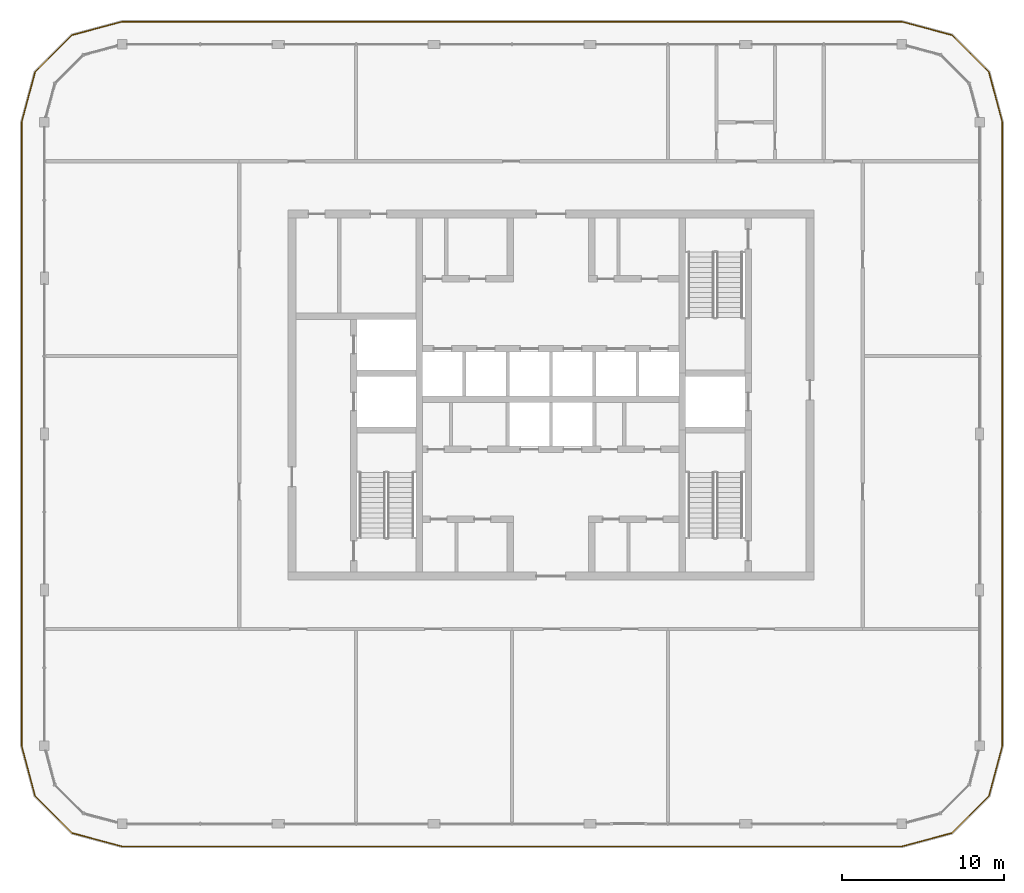
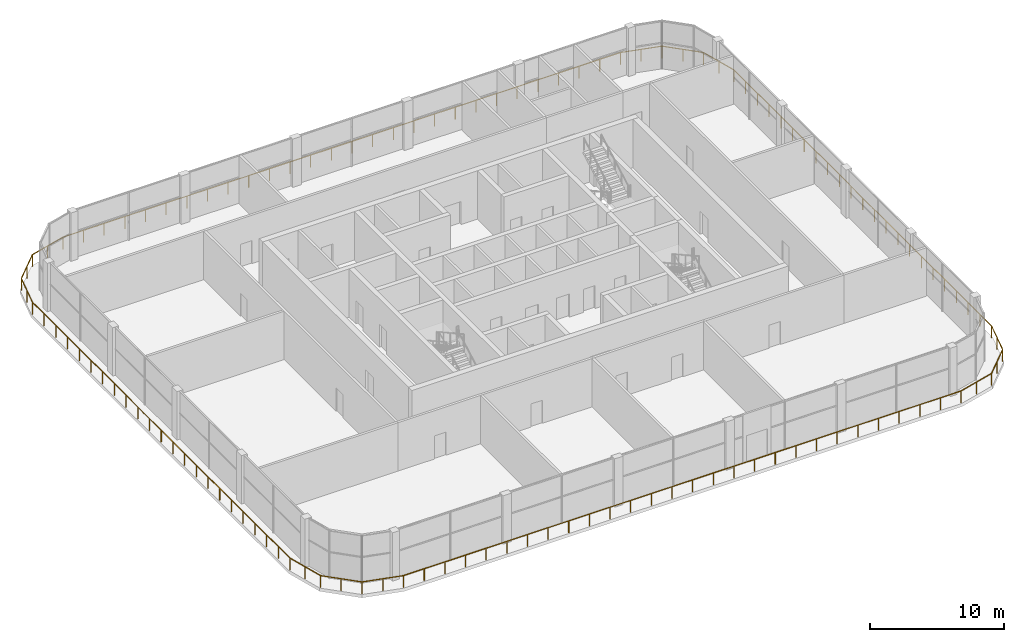
# One storey, part 14 of 15: 2 railings.
"""IFC4 building model written with IfcOpenShell, lengths in metres."""

from ifc_helpers import new_model, si_unit, direction, frame, origin, origin_2d, place, context, subcontext, project, spatial, circle, extrude, material, type_object, element, save


model = new_model("IFC4")

# Units and contexts
model_context = context("Model", 3, precision=1e-05, world=origin(), true_north=direction((0.0, 1.0)))
body_context = subcontext(model_context, "Body", "Model", "MODEL_VIEW")
ifc_project = project(units=[si_unit("LENGTHUNIT", "METRE"), si_unit("AREAUNIT", "SQUARE_METRE"), si_unit("VOLUMEUNIT", "CUBIC_METRE"), si_unit("PLANEANGLEUNIT", "RADIAN"), si_unit("MASSUNIT", "GRAM", prefix="KILO")], contexts=[model_context])

# Site, building, storey
site_placement = place(None, origin())
site = spatial("IfcSite", under=ifc_project, at=site_placement, CompositionType="ELEMENT")
building_placement = place(site_placement, origin())
building = spatial("IfcBuilding", under=site, at=building_placement, Name="Madar Terraces", CompositionType="ELEMENT")
storey_placement = place(building_placement, frame((0.0, 0.0, 291.5)))
storey = spatial("IfcBuildingStorey", under=building, at=storey_placement, Name="L76", CompositionType="ELEMENT", Elevation=291.5)

# Railings
ifc_material = material(Name="Glass, safety glazing, with stainless steel posts", Category="steel")
railing_type = type_object("IfcRailingType", Name="Balcony glass guard 1100", PredefinedType="GUARDRAIL", material=ifc_material)
railing_1_placement = place(storey_placement, frame((52.800048828125, -1.39990234375, 0.0)))
element("IfcRailing", 1, at=railing_1_placement, inside=storey, type_object=railing_type, Name="Balcony guard", PredefinedType="GUARDRAIL", context=body_context, shape_type="SweptSolid", body=[
    extrude(circle(Radius=0.02392578125, at=origin_2d()), frame((0.0, 0.0, 1.076171875), z_axis=(0.965928696102, 0.258808334578, 0.0), x_axis=(-0.258808334578, 0.965928696102, 0.0)), (0.0, 0.0, 1.0), 3.209228515625),
    extrude(circle(Radius=0.02392578125, at=origin_2d()), frame((3.099853515625, 0.83056640625, 1.076171875), z_axis=(0.707144815061, 0.707068745266, 0.0), x_axis=(-0.707068745266, 0.707144815061, 0.0)), (0.0, 0.0, 1.0), 3.20947265625),
    extrude(circle(Radius=0.02392578125, at=origin_2d()), frame((5.369384765625, 3.099853515625, 1.076171875), z_axis=(0.258789317819, 0.9659337912, 0.0), x_axis=(-0.9659337912, 0.258789317819, 0.0)), (0.0, 0.0, 1.0), 3.20947265625),
    extrude(circle(Radius=0.02392578125, at=origin_2d()), frame((6.199951171875, 6.199951171875, 1.076171875), z_axis=(0.0, 1.0, 0.0), x_axis=(-1.0, 0.0, 0.0)), (0.0, 0.0, 1.0), 38.39990234375),
    extrude(circle(Radius=0.02392578125, at=origin_2d()), frame((6.199951171875, 44.599853515625, 1.076171875), z_axis=(-0.258789317819, 0.9659337912, 0.0), x_axis=(-0.9659337912, -0.258789317819, 0.0)), (0.0, 0.0, 1.0), 3.20947265625),
    extrude(circle(Radius=0.02392578125, at=origin_2d()), frame((5.369384765625, 47.699951171875, 1.076171875), z_axis=(-0.707144815061, 0.707068745266, 0.0), x_axis=(-0.707068745266, -0.707144815061, 0.0)), (0.0, 0.0, 1.0), 3.20947265625),
    extrude(circle(Radius=0.02392578125, at=origin_2d()), frame((3.099853515625, 49.96923828125, 1.076171875), z_axis=(-0.965928696102, 0.258808334578, 0.0), x_axis=(-0.258808334578, -0.965928696102, 0.0)), (0.0, 0.0, 1.0), 3.209228515625),
    extrude(circle(Radius=0.02392578125, at=origin_2d()), frame((0.0, 50.7998046875, 1.076171875), z_axis=(-1.0, 0.0, 0.0), x_axis=(0.0, -1.0, 0.0)), (0.0, 0.0, 1.0), 48.0),
    extrude(circle(Radius=0.02099609375, at=origin_2d()), origin(), (0.0, 0.0, 1.0), 1.052001953125),
    extrude(circle(Radius=0.02099609375, at=origin_2d()), frame((1.5498046875, 0.415283203125, 0.0)), (0.0, 0.0, 1.0), 1.052001953125),
    extrude(circle(Radius=0.02099609375, at=origin_2d()), frame((3.099853515625, 0.83056640625, 0.0)), (0.0, 0.0, 1.0), 1.052001953125),
    extrude(circle(Radius=0.02099609375, at=origin_2d()), frame((4.234619140625, 1.96533203125, 0.0)), (0.0, 0.0, 1.0), 1.052001953125),
    extrude(circle(Radius=0.02099609375, at=origin_2d()), frame((5.369384765625, 3.099853515625, 0.0)), (0.0, 0.0, 1.0), 1.052001953125),
    extrude(circle(Radius=0.02099609375, at=origin_2d()), frame((5.78466796875, 4.64990234375, 0.0)), (0.0, 0.0, 1.0), 1.052001953125),
    extrude(circle(Radius=0.02099609375, at=origin_2d()), frame((6.199951171875, 6.199951171875, 0.0)), (0.0, 0.0, 1.0), 1.052001953125),
    extrude(circle(Radius=0.02099609375, at=origin_2d()), frame((6.199951171875, 7.9453125, 0.0)), (0.0, 0.0, 1.0), 1.052001953125),
    extrude(circle(Radius=0.02099609375, at=origin_2d()), frame((6.199951171875, 9.69091796875, 0.0)), (0.0, 0.0, 1.0), 1.052001953125),
    extrude(circle(Radius=0.02099609375, at=origin_2d()), frame((6.199951171875, 11.436279296875, 0.0)), (0.0, 0.0, 1.0), 1.052001953125),
    extrude(circle(Radius=0.02099609375, at=origin_2d()), frame((6.199951171875, 13.181640625, 0.0)), (0.0, 0.0, 1.0), 1.052001953125),
    extrude(circle(Radius=0.02099609375, at=origin_2d()), frame((6.199951171875, 14.92724609375, 0.0)), (0.0, 0.0, 1.0), 1.052001953125),
    extrude(circle(Radius=0.02099609375, at=origin_2d()), frame((6.199951171875, 16.672607421875, 0.0)), (0.0, 0.0, 1.0), 1.052001953125),
    extrude(circle(Radius=0.02099609375, at=origin_2d()), frame((6.199951171875, 18.418212890625, 0.0)), (0.0, 0.0, 1.0), 1.052001953125),
    extrude(circle(Radius=0.02099609375, at=origin_2d()), frame((6.199951171875, 20.16357421875, 0.0)), (0.0, 0.0, 1.0), 1.052001953125),
    extrude(circle(Radius=0.02099609375, at=origin_2d()), frame((6.199951171875, 21.908935546875, 0.0)), (0.0, 0.0, 1.0), 1.052001953125),
    extrude(circle(Radius=0.02099609375, at=origin_2d()), frame((6.199951171875, 23.654541015625, 0.0)), (0.0, 0.0, 1.0), 1.052001953125),
    extrude(circle(Radius=0.02099609375, at=origin_2d()), frame((6.199951171875, 25.39990234375, 0.0)), (0.0, 0.0, 1.0), 1.052001953125),
    extrude(circle(Radius=0.02099609375, at=origin_2d()), frame((6.199951171875, 27.145263671875, 0.0)), (0.0, 0.0, 1.0), 1.052001953125),
    extrude(circle(Radius=0.02099609375, at=origin_2d()), frame((6.199951171875, 28.890869140625, 0.0)), (0.0, 0.0, 1.0), 1.052001953125),
    extrude(circle(Radius=0.02099609375, at=origin_2d()), frame((6.199951171875, 30.63623046875, 0.0)), (0.0, 0.0, 1.0), 1.052001953125),
    extrude(circle(Radius=0.02099609375, at=origin_2d()), frame((6.199951171875, 32.381591796875, 0.0)), (0.0, 0.0, 1.0), 1.052001953125),
    extrude(circle(Radius=0.02099609375, at=origin_2d()), frame((6.199951171875, 34.127197265625, 0.0)), (0.0, 0.0, 1.0), 1.052001953125),
    extrude(circle(Radius=0.02099609375, at=origin_2d()), frame((6.199951171875, 35.87255859375, 0.0)), (0.0, 0.0, 1.0), 1.052001953125),
    extrude(circle(Radius=0.02099609375, at=origin_2d()), frame((6.199951171875, 37.6181640625, 0.0)), (0.0, 0.0, 1.0), 1.052001953125),
    extrude(circle(Radius=0.02099609375, at=origin_2d()), frame((6.199951171875, 39.363525390625, 0.0)), (0.0, 0.0, 1.0), 1.052001953125),
    extrude(circle(Radius=0.02099609375, at=origin_2d()), frame((6.199951171875, 41.10888671875, 0.0)), (0.0, 0.0, 1.0), 1.052001953125),
    extrude(circle(Radius=0.02099609375, at=origin_2d()), frame((6.199951171875, 42.8544921875, 0.0)), (0.0, 0.0, 1.0), 1.052001953125),
    extrude(circle(Radius=0.02099609375, at=origin_2d()), frame((6.199951171875, 44.599853515625, 0.0)), (0.0, 0.0, 1.0), 1.052001953125),
    extrude(circle(Radius=0.02099609375, at=origin_2d()), frame((5.78466796875, 46.14990234375, 0.0)), (0.0, 0.0, 1.0), 1.052001953125),
    extrude(circle(Radius=0.02099609375, at=origin_2d()), frame((5.369384765625, 47.699951171875, 0.0)), (0.0, 0.0, 1.0), 1.052001953125),
    extrude(circle(Radius=0.02099609375, at=origin_2d()), frame((4.234619140625, 48.83447265625, 0.0)), (0.0, 0.0, 1.0), 1.052001953125),
    extrude(circle(Radius=0.02099609375, at=origin_2d()), frame((3.099853515625, 49.96923828125, 0.0)), (0.0, 0.0, 1.0), 1.052001953125),
    extrude(circle(Radius=0.02099609375, at=origin_2d()), frame((1.5498046875, 50.384521484375, 0.0)), (0.0, 0.0, 1.0), 1.052001953125),
    extrude(circle(Radius=0.02099609375, at=origin_2d()), frame((0.0, 50.7998046875, 0.0)), (0.0, 0.0, 1.0), 1.052001953125),
    extrude(circle(Radius=0.02099609375, at=origin_2d()), frame((-1.77783203125, 50.7998046875, 0.0)), (0.0, 0.0, 1.0), 1.052001953125),
    extrude(circle(Radius=0.02099609375, at=origin_2d()), frame((-3.5556640625, 50.7998046875, 0.0)), (0.0, 0.0, 1.0), 1.052001953125),
    extrude(circle(Radius=0.02099609375, at=origin_2d()), frame((-5.333251953125, 50.7998046875, 0.0)), (0.0, 0.0, 1.0), 1.052001953125),
    extrude(circle(Radius=0.02099609375, at=origin_2d()), frame((-7.111083984375, 50.7998046875, 0.0)), (0.0, 0.0, 1.0), 1.052001953125),
    extrude(circle(Radius=0.02099609375, at=origin_2d()), frame((-8.888916015625, 50.7998046875, 0.0)), (0.0, 0.0, 1.0), 1.052001953125),
    extrude(circle(Radius=0.02099609375, at=origin_2d()), frame((-10.666748046875, 50.7998046875, 0.0)), (0.0, 0.0, 1.0), 1.052001953125),
    extrude(circle(Radius=0.02099609375, at=origin_2d()), frame((-12.4443359375, 50.7998046875, 0.0)), (0.0, 0.0, 1.0), 1.052001953125),
    extrude(circle(Radius=0.02099609375, at=origin_2d()), frame((-14.22216796875, 50.7998046875, 0.0)), (0.0, 0.0, 1.0), 1.052001953125),
    extrude(circle(Radius=0.02099609375, at=origin_2d()), frame((-16.0, 50.7998046875, 0.0)), (0.0, 0.0, 1.0), 1.052001953125),
    extrude(circle(Radius=0.02099609375, at=origin_2d()), frame((-17.77783203125, 50.7998046875, 0.0)), (0.0, 0.0, 1.0), 1.052001953125),
    extrude(circle(Radius=0.02099609375, at=origin_2d()), frame((-19.5556640625, 50.7998046875, 0.0)), (0.0, 0.0, 1.0), 1.052001953125),
    extrude(circle(Radius=0.02099609375, at=origin_2d()), frame((-21.333251953125, 50.7998046875, 0.0)), (0.0, 0.0, 1.0), 1.052001953125),
    extrude(circle(Radius=0.02099609375, at=origin_2d()), frame((-23.111083984375, 50.7998046875, 0.0)), (0.0, 0.0, 1.0), 1.052001953125),
    extrude(circle(Radius=0.02099609375, at=origin_2d()), frame((-24.888916015625, 50.7998046875, 0.0)), (0.0, 0.0, 1.0), 1.052001953125),
    extrude(circle(Radius=0.02099609375, at=origin_2d()), frame((-26.666748046875, 50.7998046875, 0.0)), (0.0, 0.0, 1.0), 1.052001953125),
    extrude(circle(Radius=0.02099609375, at=origin_2d()), frame((-28.4443359375, 50.7998046875, 0.0)), (0.0, 0.0, 1.0), 1.052001953125),
    extrude(circle(Radius=0.02099609375, at=origin_2d()), frame((-30.22216796875, 50.7998046875, 0.0)), (0.0, 0.0, 1.0), 1.052001953125),
    extrude(circle(Radius=0.02099609375, at=origin_2d()), frame((-32.0, 50.7998046875, 0.0)), (0.0, 0.0, 1.0), 1.052001953125),
    extrude(circle(Radius=0.02099609375, at=origin_2d()), frame((-33.77783203125, 50.7998046875, 0.0)), (0.0, 0.0, 1.0), 1.052001953125),
    extrude(circle(Radius=0.02099609375, at=origin_2d()), frame((-35.5556640625, 50.7998046875, 0.0)), (0.0, 0.0, 1.0), 1.052001953125),
    extrude(circle(Radius=0.02099609375, at=origin_2d()), frame((-37.333251953125, 50.7998046875, 0.0)), (0.0, 0.0, 1.0), 1.052001953125),
    extrude(circle(Radius=0.02099609375, at=origin_2d()), frame((-39.111083984375, 50.7998046875, 0.0)), (0.0, 0.0, 1.0), 1.052001953125),
    extrude(circle(Radius=0.02099609375, at=origin_2d()), frame((-40.888916015625, 50.7998046875, 0.0)), (0.0, 0.0, 1.0), 1.052001953125),
    extrude(circle(Radius=0.02099609375, at=origin_2d()), frame((-42.666748046875, 50.7998046875, 0.0)), (0.0, 0.0, 1.0), 1.052001953125),
    extrude(circle(Radius=0.02099609375, at=origin_2d()), frame((-44.4443359375, 50.7998046875, 0.0)), (0.0, 0.0, 1.0), 1.052001953125),
    extrude(circle(Radius=0.02099609375, at=origin_2d()), frame((-46.22216796875, 50.7998046875, 0.0)), (0.0, 0.0, 1.0), 1.052001953125),
    extrude(circle(Radius=0.02099609375, at=origin_2d()), frame((-48.0, 50.7998046875, 0.0)), (0.0, 0.0, 1.0), 1.052001953125),
])
railing_2_placement = place(storey_placement, frame((4.800048828125, 49.39990234375, 0.0)))
element("IfcRailing", 2, at=railing_2_placement, inside=storey, type_object=railing_type, Name="Balcony guard", PredefinedType="GUARDRAIL", context=body_context, shape_type="SweptSolid", body=[
    extrude(circle(Radius=0.02392578125, at=origin_2d()), frame((0.0, 0.0, 1.076171875), z_axis=(-0.9659337912, -0.258789317819, 0.0), x_axis=(0.258789317819, -0.9659337912, 0.0)), (0.0, 0.0, 1.0), 3.20947265625),
    extrude(circle(Radius=0.02392578125, at=origin_2d()), frame((-3.10009765625, -0.83056640625, 1.076171875), z_axis=(-0.707106781187, -0.707106781187, 0.0), x_axis=(0.707106781187, -0.707106781187, 0.0)), (0.0, 0.0, 1.0), 3.209228515625),
    extrude(circle(Radius=0.02392578125, at=origin_2d()), frame((-5.369384765625, -3.099853515625, 1.076171875), z_axis=(-0.258789317819, -0.9659337912, 0.0), x_axis=(0.9659337912, -0.258789317819, 0.0)), (0.0, 0.0, 1.0), 3.20947265625),
    extrude(circle(Radius=0.02392578125, at=origin_2d()), frame((-6.199951171875, -6.199951171875, 1.076171875), z_axis=(0.0, -1.0, 0.0), x_axis=(1.0, 0.0, 0.0)), (0.0, 0.0, 1.0), 38.39990234375),
    extrude(circle(Radius=0.02392578125, at=origin_2d()), frame((-6.199951171875, -44.599853515625, 1.076171875), z_axis=(0.258789317819, -0.9659337912, 0.0), x_axis=(0.9659337912, 0.258789317819, 0.0)), (0.0, 0.0, 1.0), 3.20947265625),
    extrude(circle(Radius=0.02392578125, at=origin_2d()), frame((-5.369384765625, -47.699951171875, 1.076171875), z_axis=(0.707106781187, -0.707106781187, 0.0), x_axis=(0.707106781187, 0.707106781187, 0.0)), (0.0, 0.0, 1.0), 3.209228515625),
    extrude(circle(Radius=0.02392578125, at=origin_2d()), frame((-3.10009765625, -49.96923828125, 1.076171875), z_axis=(0.9659337912, -0.258789317819, 0.0), x_axis=(0.258789317819, 0.9659337912, 0.0)), (0.0, 0.0, 1.0), 3.20947265625),
    extrude(circle(Radius=0.02392578125, at=origin_2d()), frame((0.0, -50.7998046875, 1.076171875), z_axis=(1.0, 0.0, 0.0), x_axis=(0.0, 1.0, 0.0)), (0.0, 0.0, 1.0), 48.0),
    extrude(circle(Radius=0.02099609375, at=origin_2d()), origin(), (0.0, 0.0, 1.0), 1.052001953125),
    extrude(circle(Radius=0.02099609375, at=origin_2d()), frame((-1.550048828125, -0.415283203125, 0.0)), (0.0, 0.0, 1.0), 1.052001953125),
    extrude(circle(Radius=0.02099609375, at=origin_2d()), frame((-3.10009765625, -0.83056640625, 0.0)), (0.0, 0.0, 1.0), 1.052001953125),
    extrude(circle(Radius=0.02099609375, at=origin_2d()), frame((-4.23486328125, -1.96533203125, 0.0)), (0.0, 0.0, 1.0), 1.052001953125),
    extrude(circle(Radius=0.02099609375, at=origin_2d()), frame((-5.369384765625, -3.099853515625, 0.0)), (0.0, 0.0, 1.0), 1.052001953125),
    extrude(circle(Radius=0.02099609375, at=origin_2d()), frame((-5.78466796875, -4.64990234375, 0.0)), (0.0, 0.0, 1.0), 1.052001953125),
    extrude(circle(Radius=0.02099609375, at=origin_2d()), frame((-6.199951171875, -6.199951171875, 0.0)), (0.0, 0.0, 1.0), 1.052001953125),
    extrude(circle(Radius=0.02099609375, at=origin_2d()), frame((-6.199951171875, -7.9453125, 0.0)), (0.0, 0.0, 1.0), 1.052001953125),
    extrude(circle(Radius=0.02099609375, at=origin_2d()), frame((-6.199951171875, -9.69091796875, 0.0)), (0.0, 0.0, 1.0), 1.052001953125),
    extrude(circle(Radius=0.02099609375, at=origin_2d()), frame((-6.199951171875, -11.436279296875, 0.0)), (0.0, 0.0, 1.0), 1.052001953125),
    extrude(circle(Radius=0.02099609375, at=origin_2d()), frame((-6.199951171875, -13.181640625, 0.0)), (0.0, 0.0, 1.0), 1.052001953125),
    extrude(circle(Radius=0.02099609375, at=origin_2d()), frame((-6.199951171875, -14.92724609375, 0.0)), (0.0, 0.0, 1.0), 1.052001953125),
    extrude(circle(Radius=0.02099609375, at=origin_2d()), frame((-6.199951171875, -16.672607421875, 0.0)), (0.0, 0.0, 1.0), 1.052001953125),
    extrude(circle(Radius=0.02099609375, at=origin_2d()), frame((-6.199951171875, -18.418212890625, 0.0)), (0.0, 0.0, 1.0), 1.052001953125),
    extrude(circle(Radius=0.02099609375, at=origin_2d()), frame((-6.199951171875, -20.16357421875, 0.0)), (0.0, 0.0, 1.0), 1.052001953125),
    extrude(circle(Radius=0.02099609375, at=origin_2d()), frame((-6.199951171875, -21.908935546875, 0.0)), (0.0, 0.0, 1.0), 1.052001953125),
    extrude(circle(Radius=0.02099609375, at=origin_2d()), frame((-6.199951171875, -23.654541015625, 0.0)), (0.0, 0.0, 1.0), 1.052001953125),
    extrude(circle(Radius=0.02099609375, at=origin_2d()), frame((-6.199951171875, -25.39990234375, 0.0)), (0.0, 0.0, 1.0), 1.052001953125),
    extrude(circle(Radius=0.02099609375, at=origin_2d()), frame((-6.199951171875, -27.145263671875, 0.0)), (0.0, 0.0, 1.0), 1.052001953125),
    extrude(circle(Radius=0.02099609375, at=origin_2d()), frame((-6.199951171875, -28.890869140625, 0.0)), (0.0, 0.0, 1.0), 1.052001953125),
    extrude(circle(Radius=0.02099609375, at=origin_2d()), frame((-6.199951171875, -30.63623046875, 0.0)), (0.0, 0.0, 1.0), 1.052001953125),
    extrude(circle(Radius=0.02099609375, at=origin_2d()), frame((-6.199951171875, -32.381591796875, 0.0)), (0.0, 0.0, 1.0), 1.052001953125),
    extrude(circle(Radius=0.02099609375, at=origin_2d()), frame((-6.199951171875, -34.127197265625, 0.0)), (0.0, 0.0, 1.0), 1.052001953125),
    extrude(circle(Radius=0.02099609375, at=origin_2d()), frame((-6.199951171875, -35.87255859375, 0.0)), (0.0, 0.0, 1.0), 1.052001953125),
    extrude(circle(Radius=0.02099609375, at=origin_2d()), frame((-6.199951171875, -37.6181640625, 0.0)), (0.0, 0.0, 1.0), 1.052001953125),
    extrude(circle(Radius=0.02099609375, at=origin_2d()), frame((-6.199951171875, -39.363525390625, 0.0)), (0.0, 0.0, 1.0), 1.052001953125),
    extrude(circle(Radius=0.02099609375, at=origin_2d()), frame((-6.199951171875, -41.10888671875, 0.0)), (0.0, 0.0, 1.0), 1.052001953125),
    extrude(circle(Radius=0.02099609375, at=origin_2d()), frame((-6.199951171875, -42.8544921875, 0.0)), (0.0, 0.0, 1.0), 1.052001953125),
    extrude(circle(Radius=0.02099609375, at=origin_2d()), frame((-6.199951171875, -44.599853515625, 0.0)), (0.0, 0.0, 1.0), 1.052001953125),
    extrude(circle(Radius=0.02099609375, at=origin_2d()), frame((-5.78466796875, -46.14990234375, 0.0)), (0.0, 0.0, 1.0), 1.052001953125),
    extrude(circle(Radius=0.02099609375, at=origin_2d()), frame((-5.369384765625, -47.699951171875, 0.0)), (0.0, 0.0, 1.0), 1.052001953125),
    extrude(circle(Radius=0.02099609375, at=origin_2d()), frame((-4.23486328125, -48.83447265625, 0.0)), (0.0, 0.0, 1.0), 1.052001953125),
    extrude(circle(Radius=0.02099609375, at=origin_2d()), frame((-3.10009765625, -49.96923828125, 0.0)), (0.0, 0.0, 1.0), 1.052001953125),
    extrude(circle(Radius=0.02099609375, at=origin_2d()), frame((-1.550048828125, -50.384521484375, 0.0)), (0.0, 0.0, 1.0), 1.052001953125),
    extrude(circle(Radius=0.02099609375, at=origin_2d()), frame((0.0, -50.7998046875, 0.0)), (0.0, 0.0, 1.0), 1.052001953125),
    extrude(circle(Radius=0.02099609375, at=origin_2d()), frame((1.77783203125, -50.7998046875, 0.0)), (0.0, 0.0, 1.0), 1.052001953125),
    extrude(circle(Radius=0.02099609375, at=origin_2d()), frame((3.5556640625, -50.7998046875, 0.0)), (0.0, 0.0, 1.0), 1.052001953125),
    extrude(circle(Radius=0.02099609375, at=origin_2d()), frame((5.333251953125, -50.7998046875, 0.0)), (0.0, 0.0, 1.0), 1.052001953125),
    extrude(circle(Radius=0.02099609375, at=origin_2d()), frame((7.111083984375, -50.7998046875, 0.0)), (0.0, 0.0, 1.0), 1.052001953125),
    extrude(circle(Radius=0.02099609375, at=origin_2d()), frame((8.888916015625, -50.7998046875, 0.0)), (0.0, 0.0, 1.0), 1.052001953125),
    extrude(circle(Radius=0.02099609375, at=origin_2d()), frame((10.666748046875, -50.7998046875, 0.0)), (0.0, 0.0, 1.0), 1.052001953125),
    extrude(circle(Radius=0.02099609375, at=origin_2d()), frame((12.4443359375, -50.7998046875, 0.0)), (0.0, 0.0, 1.0), 1.052001953125),
    extrude(circle(Radius=0.02099609375, at=origin_2d()), frame((14.22216796875, -50.7998046875, 0.0)), (0.0, 0.0, 1.0), 1.052001953125),
    extrude(circle(Radius=0.02099609375, at=origin_2d()), frame((16.0, -50.7998046875, 0.0)), (0.0, 0.0, 1.0), 1.052001953125),
    extrude(circle(Radius=0.02099609375, at=origin_2d()), frame((17.77783203125, -50.7998046875, 0.0)), (0.0, 0.0, 1.0), 1.052001953125),
    extrude(circle(Radius=0.02099609375, at=origin_2d()), frame((19.5556640625, -50.7998046875, 0.0)), (0.0, 0.0, 1.0), 1.052001953125),
    extrude(circle(Radius=0.02099609375, at=origin_2d()), frame((21.333251953125, -50.7998046875, 0.0)), (0.0, 0.0, 1.0), 1.052001953125),
    extrude(circle(Radius=0.02099609375, at=origin_2d()), frame((23.111083984375, -50.7998046875, 0.0)), (0.0, 0.0, 1.0), 1.052001953125),
    extrude(circle(Radius=0.02099609375, at=origin_2d()), frame((24.888916015625, -50.7998046875, 0.0)), (0.0, 0.0, 1.0), 1.052001953125),
    extrude(circle(Radius=0.02099609375, at=origin_2d()), frame((26.666748046875, -50.7998046875, 0.0)), (0.0, 0.0, 1.0), 1.052001953125),
    extrude(circle(Radius=0.02099609375, at=origin_2d()), frame((28.4443359375, -50.7998046875, 0.0)), (0.0, 0.0, 1.0), 1.052001953125),
    extrude(circle(Radius=0.02099609375, at=origin_2d()), frame((30.22216796875, -50.7998046875, 0.0)), (0.0, 0.0, 1.0), 1.052001953125),
    extrude(circle(Radius=0.02099609375, at=origin_2d()), frame((32.0, -50.7998046875, 0.0)), (0.0, 0.0, 1.0), 1.052001953125),
    extrude(circle(Radius=0.02099609375, at=origin_2d()), frame((33.77783203125, -50.7998046875, 0.0)), (0.0, 0.0, 1.0), 1.052001953125),
    extrude(circle(Radius=0.02099609375, at=origin_2d()), frame((35.5556640625, -50.7998046875, 0.0)), (0.0, 0.0, 1.0), 1.052001953125),
    extrude(circle(Radius=0.02099609375, at=origin_2d()), frame((37.333251953125, -50.7998046875, 0.0)), (0.0, 0.0, 1.0), 1.052001953125),
    extrude(circle(Radius=0.02099609375, at=origin_2d()), frame((39.111083984375, -50.7998046875, 0.0)), (0.0, 0.0, 1.0), 1.052001953125),
    extrude(circle(Radius=0.02099609375, at=origin_2d()), frame((40.888916015625, -50.7998046875, 0.0)), (0.0, 0.0, 1.0), 1.052001953125),
    extrude(circle(Radius=0.02099609375, at=origin_2d()), frame((42.666748046875, -50.7998046875, 0.0)), (0.0, 0.0, 1.0), 1.052001953125),
    extrude(circle(Radius=0.02099609375, at=origin_2d()), frame((44.4443359375, -50.7998046875, 0.0)), (0.0, 0.0, 1.0), 1.052001953125),
    extrude(circle(Radius=0.02099609375, at=origin_2d()), frame((46.22216796875, -50.7998046875, 0.0)), (0.0, 0.0, 1.0), 1.052001953125),
    extrude(circle(Radius=0.02099609375, at=origin_2d()), frame((48.0, -50.7998046875, 0.0)), (0.0, 0.0, 1.0), 1.052001953125),
])

save(model, "model.ifc")
